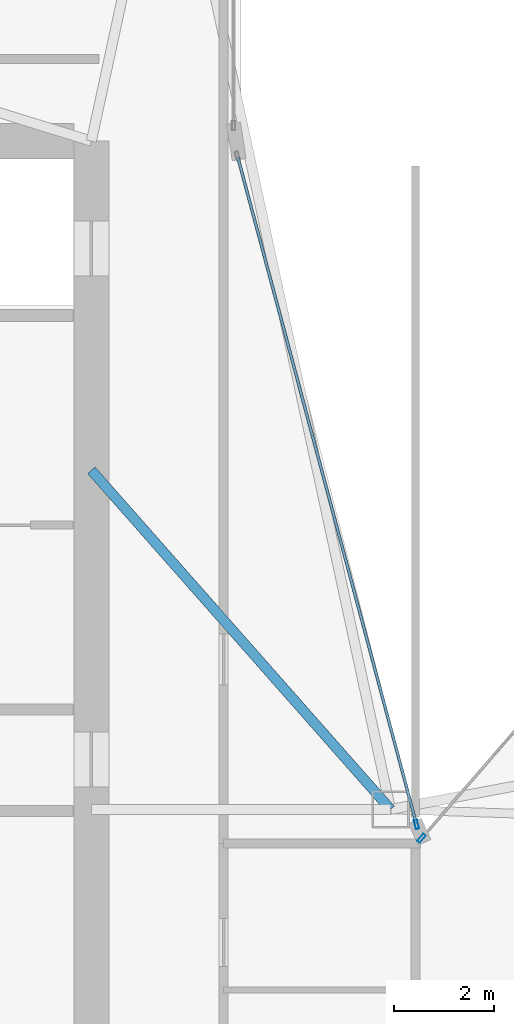
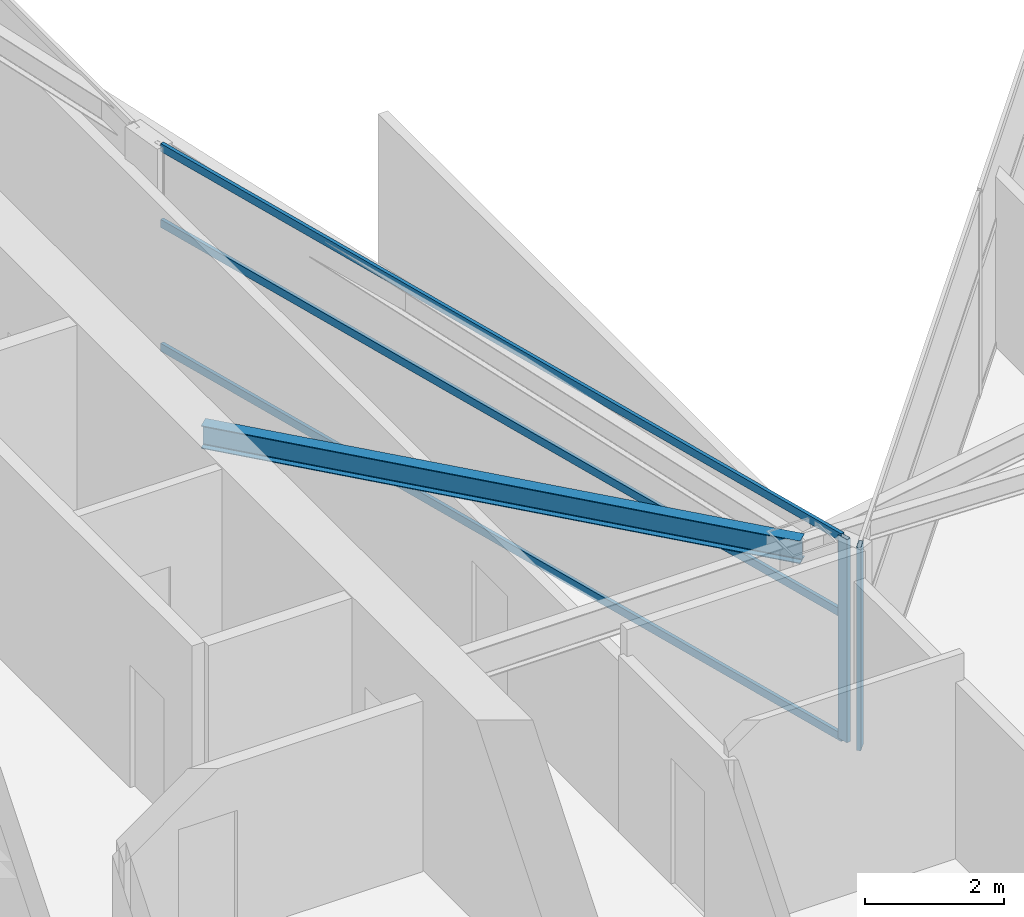
# One storey, part 10 of 28: 5 members, 1 beam, 2 elements without a shape of their own.
"""IFC4 building model written with IfcOpenShell, lengths in metres."""

from ifc_helpers import new_model, si_unit, direction, frame, origin, origin_2d, place, context, subcontext, project, spatial, hollow_rectangle, i_section, extrude, material, layer, layer_set, material_profile, profile_set, type_object, element, aggregate, save


model = new_model("IFC4")

# Units and contexts
model_context = context("Model", 3, precision=1e-05, world=origin(), true_north=direction((0.0, 1.0)))
body_context = subcontext(model_context, "Body", "Model", "MODEL_VIEW")
ifc_project = project(units=[si_unit("LENGTHUNIT", "METRE"), si_unit("AREAUNIT", "SQUARE_METRE"), si_unit("VOLUMEUNIT", "CUBIC_METRE"), si_unit("PLANEANGLEUNIT", "RADIAN"), si_unit("MASSUNIT", "GRAM", prefix="KILO")], contexts=[model_context])

# Site, building, storey
site_placement = place(None, origin())
site = spatial("IfcSite", under=ifc_project, at=site_placement, CompositionType="ELEMENT")
building_placement = place(site_placement, origin())
building = spatial("IfcBuilding", under=site, at=building_placement, Name="Calvorn Quay Hotel", CompositionType="ELEMENT")
storey_placement = place(building_placement, frame((0.0, 0.0, 243.800048828125)))
storey = spatial("IfcBuildingStorey", under=building, at=storey_placement, Name="L60", CompositionType="ELEMENT", Elevation=243.800048828125)

# Beam
ifc_material_1 = material(Name="Steel Q355B", Category="steel")
ifc_material_profile_1 = material_profile(ifc_material_1, i_section(OverallWidth=0.199951171875, OverallDepth=0.39990234375, WebThickness=0.008056640625, FlangeThickness=0.012939453125, FilletRadius=0.01611328125, at=origin_2d()), Name="HN400x200x8x13")
ifc_profile_set_1 = profile_set([ifc_material_profile_1], Name="Steel Q355B")
beam_type = type_object("IfcBeamType", Name="BM-JOIST-TYP", PredefinedType="JOIST", material=ifc_profile_set_1)
beam_placement = place(storey_placement, frame((15.0, 31.800048828125, 3.33984375), z_axis=(0.661618965899, -0.749840212287, 0.0), x_axis=(0.749840212287, 0.661618965899, 0.0)))
element("IfcBeam", 1, at=beam_placement, inside=storey, type_object=beam_type, Name="Beam BJ-L60-C1", PredefinedType="JOIST", context=body_context, shape_type="SweptSolid", body=[
    extrude(i_section(OverallWidth=0.199951171875, OverallDepth=0.39990234375, WebThickness=0.008056640625, FlangeThickness=0.012939453125, FilletRadius=0.01611328125, at=origin_2d()), origin(), (0.0, 0.0, 1.0), 9.068603515625),
])

# Curtain wall, member
ifc_material_2 = material(Name="Champagne Bronze Anodised Aluminium and Low-E Glass", Category="aluminium")
ifc_layer = layer(ifc_material_2, 0.219970703125)
ifc_layer_set = layer_set([ifc_layer], Name="CW-SYS-Z3")
curtain_wall_type = type_object("IfcCurtainWallType", Name="CW-SYS-Z3", PredefinedType="NOTDEFINED", material=ifc_layer_set)
curtain_wall_1_placement = place(storey_placement, origin())
curtain_wall_1 = element("IfcCurtainWall", 2, at=curtain_wall_1_placement, inside=storey, type_object=curtain_wall_type, Name="Inner Court Curtain Wall L60-NE1", PredefinedType="NOTDEFINED")
ifc_material_3 = material(Name="Champagne Bronze Anodised Aluminium 6063-T6", Category="aluminium")
ifc_material_profile_2 = material_profile(ifc_material_3, hollow_rectangle(XDim=0.068115234375, YDim=0.18505859375, WallThickness=0.00390625, at=origin_2d()), Name="ALU-M185x68x4")
ifc_profile_set_2 = profile_set([ifc_material_profile_2], Name="Champagne Bronze Anodised Aluminium 6063-T6")
member_type_1 = type_object("IfcMemberType", Name="CW-SYS-Z3-MUL", PredefinedType="MULLION", material=ifc_profile_set_2)
member_1_placement = place(storey_placement, frame((21.61962890625, 24.422607421875, 0.0), z_axis=(0.0, 0.0, 1.0), x_axis=(0.755322467304, -0.655353317216, 0.0)))
member_1 = element("IfcMember", 3, at=member_1_placement, type_object=member_type_1, Name="CW-L60-NE1 mullion 3", PredefinedType="MULLION", context=body_context, shape_type="SweptSolid", body=[
    extrude(hollow_rectangle(XDim=0.068115234375, YDim=0.18505859375, WallThickness=0.00390625, at=origin_2d()), origin(), (0.0, 0.0, 1.0), 3.56005859375),
])
aggregate(curtain_wall_1, [member_1])

# Curtain wall, members
curtain_wall_2_placement = place(storey_placement, origin())
curtain_wall_2 = element("IfcCurtainWall", 4, at=curtain_wall_2_placement, inside=storey, type_object=curtain_wall_type, Name="Inner Court Curtain Wall L60-IC1", PredefinedType="NOTDEFINED")
member_2_placement = place(storey_placement, frame((21.520263671875, 24.698974609375, 0.0), z_axis=(0.0, 0.0, 1.0), x_axis=(-0.96593652056, -0.25877913024, 0.0)))
member_2 = element("IfcMember", 5, at=member_2_placement, type_object=member_type_1, Name="CW-L60-IC1 mullion 1", PredefinedType="MULLION", context=body_context, shape_type="SweptSolid", body=[
    extrude(hollow_rectangle(XDim=0.068115234375, YDim=0.18505859375, WallThickness=0.00390625, at=origin_2d()), origin(), (0.0, 0.0, 1.0), 3.56005859375),
])
ifc_material_4 = material(Name="Champagne Bronze Anodised Aluminium 6063-T6", Category="aluminium")
ifc_material_profile_3 = material_profile(ifc_material_4, hollow_rectangle(XDim=0.05810546875, YDim=0.139892578125, WallThickness=0.003173828125, at=origin_2d()), Name="ALU-T140x58x3.2")
ifc_profile_set_3 = profile_set([ifc_material_profile_3], Name="Champagne Bronze Anodised Aluminium 6063-T6")
member_type_2 = type_object("IfcMemberType", Name="CW-SYS-Z3-TRN", PredefinedType="USERDEFINED", material=ifc_profile_set_3)
member_3_placement = place(storey_placement, frame((21.512451171875, 24.72802734375, 0.030029296875), z_axis=(-0.258781136883, 0.965935982969, 0.0), x_axis=(-0.965935982969, -0.258781136883, 0.0)))
member_3 = element("IfcMember", 6, at=member_3_placement, type_object=member_type_2, Name="CW-L60-IC1 transom 1.1", ObjectType="TRANSOM", PredefinedType="USERDEFINED", context=body_context, shape_type="SweptSolid", body=[
    extrude(hollow_rectangle(XDim=0.05810546875, YDim=0.139892578125, WallThickness=0.003173828125, at=origin_2d()), origin(), (0.0, 0.0, 1.0), 13.814453125),
])
member_4_placement = place(storey_placement, frame((21.512451171875, 24.72802734375, 2.199951171875), z_axis=(-0.258781136883, 0.965935982969, 0.0), x_axis=(-0.965935982969, -0.258781136883, 0.0)))
member_4 = element("IfcMember", 7, at=member_4_placement, type_object=member_type_2, Name="CW-L60-IC1 transom 1.2", ObjectType="TRANSOM", PredefinedType="USERDEFINED", context=body_context, shape_type="SweptSolid", body=[
    extrude(hollow_rectangle(XDim=0.05810546875, YDim=0.139892578125, WallThickness=0.003173828125, at=origin_2d()), origin(), (0.0, 0.0, 1.0), 13.814453125),
])
member_5_placement = place(storey_placement, frame((21.512451171875, 24.72802734375, 3.530029296875), z_axis=(-0.258781136883, 0.965935982969, 0.0), x_axis=(-0.965935982969, -0.258781136883, 0.0)))
member_5 = element("IfcMember", 8, at=member_5_placement, type_object=member_type_2, Name="CW-L60-IC1 transom 1.3", ObjectType="TRANSOM", PredefinedType="USERDEFINED", context=body_context, shape_type="SweptSolid", body=[
    extrude(hollow_rectangle(XDim=0.05810546875, YDim=0.139892578125, WallThickness=0.003173828125, at=origin_2d()), origin(), (0.0, 0.0, 1.0), 13.814453125),
])
aggregate(curtain_wall_2, [member_2, member_3, member_4, member_5])

save(model, "model.ifc")
